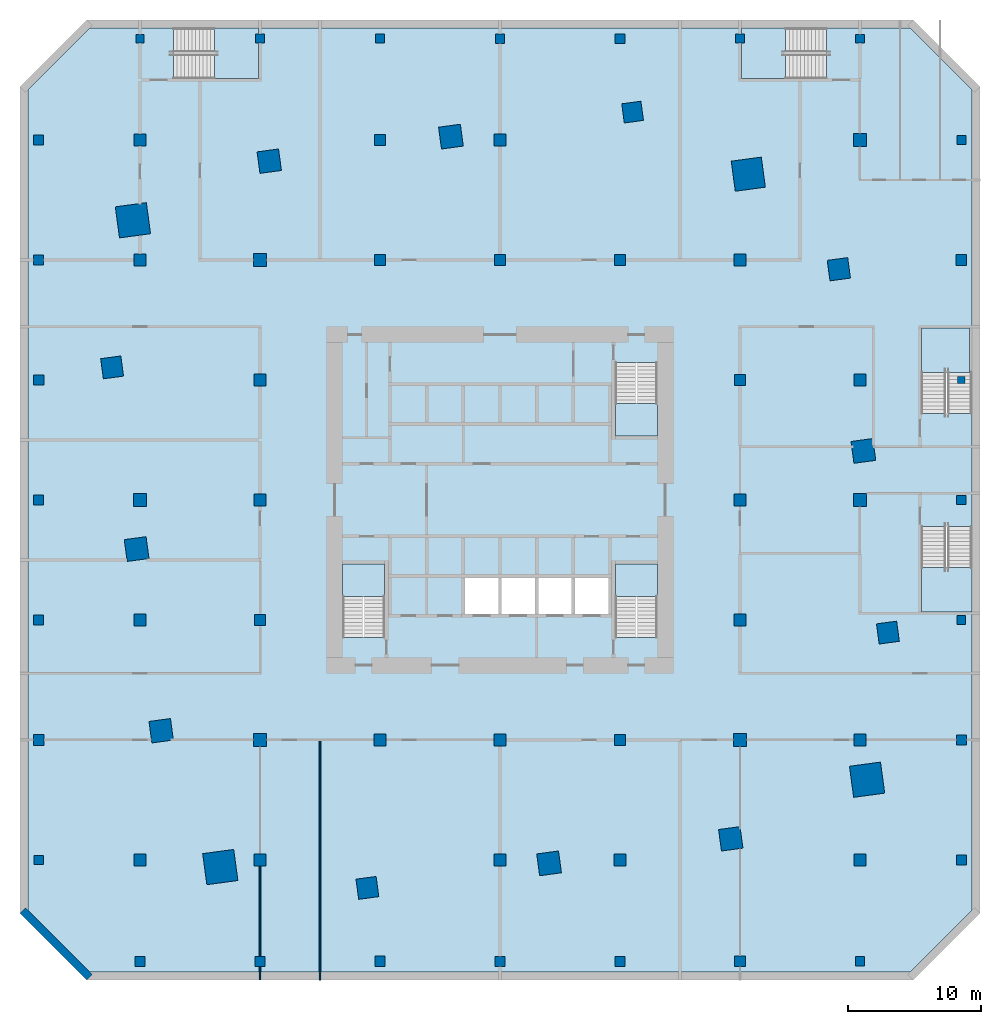
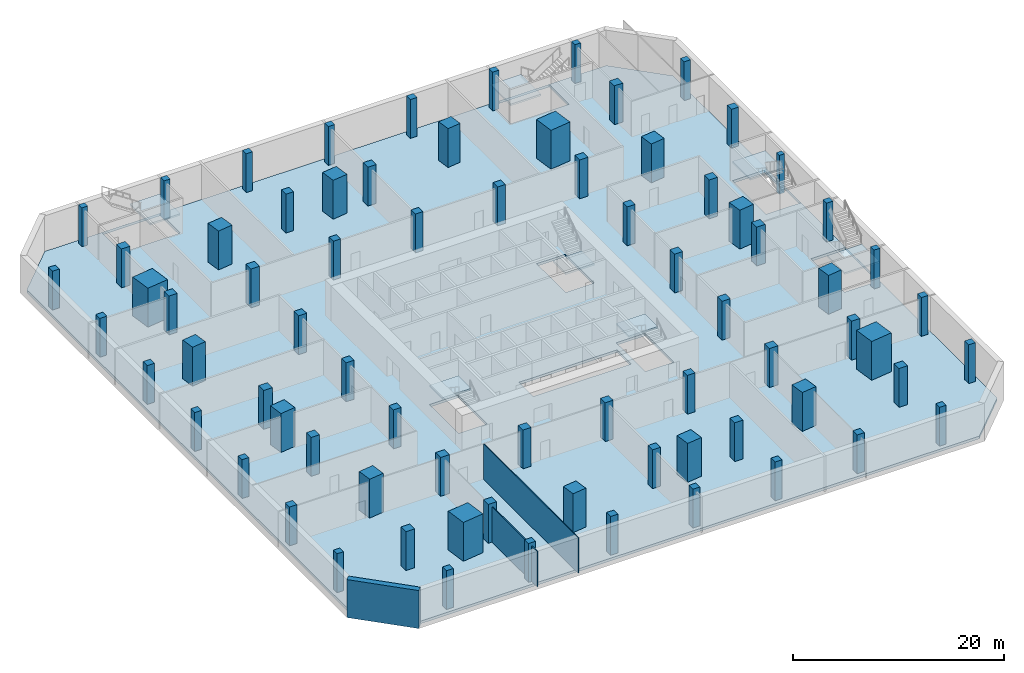
# One storey, part 1 of 11: 75 columns, 8 slabs, 3 walls, 7 elements without a shape of their own.
"""IFC4 building model written with IfcOpenShell, lengths in metres."""

from ifc_helpers import new_model, si_unit, direction, frame, frame_2d, origin, origin_2d, place, context, subcontext, project, spatial, polyline, rectangle, outline, extrude, material, layer, layer_set, material_profile, profile_set, type_object, element, aggregate, save


model = new_model("IFC4")

# Units and contexts
model_context = context("Model", 3, precision=1e-05, world=origin(), true_north=direction((0.0, 1.0)))
body_context = subcontext(model_context, "Body", "Model", "MODEL_VIEW")
ifc_project = project(units=[si_unit("LENGTHUNIT", "METRE"), si_unit("AREAUNIT", "SQUARE_METRE"), si_unit("VOLUMEUNIT", "CUBIC_METRE"), si_unit("PLANEANGLEUNIT", "RADIAN"), si_unit("MASSUNIT", "GRAM", prefix="KILO")], contexts=[model_context])

# Site, building, storey
site_placement = place(None, origin())
site = spatial("IfcSite", under=ifc_project, at=site_placement, CompositionType="ELEMENT")
building_placement = place(site_placement, origin())
building = spatial("IfcBuilding", under=site, at=building_placement, Name="Dilmun Exchange Tower", CompositionType="ELEMENT")
storey_placement = place(building_placement, frame((0.0, 0.0, -4.5)))
storey = spatial("IfcBuildingStorey", under=building, at=storey_placement, Name="B1", CompositionType="ELEMENT", Elevation=-4.5)

# Columns
ifc_material_1 = material(Name="Concrete C80/95", Category="concrete")
ifc_material_profile_1 = material_profile(ifc_material_1, rectangle(XDim=2.27490234375, YDim=2.27490234375, at=origin_2d()), Name="2275 x 2275")
ifc_profile_set_1 = profile_set([ifc_material_profile_1], Name="Concrete C80/95")
column_type_1 = type_object("IfcColumnType", Name="RC mega column 2275 x 2275 C80/95", PredefinedType="COLUMN", material=ifc_profile_set_1)
column_1_placement = place(storey_placement, frame((18.6220703125, 24.43701171875, 0.0), z_axis=(0.0, 0.0, 1.0), x_axis=(0.991001197216, 0.133853005627, 0.0)))
element("IfcColumn", 1, at=column_1_placement, inside=storey, type_object=column_type_1, Name="Mega column M1", PredefinedType="COLUMN", context=body_context, shape_type="SweptSolid", body=[
    extrude(rectangle(XDim=2.27490234375, YDim=2.27490234375, at=origin_2d()), origin(), (0.0, 0.0, 1.0), 4.5),
])
ifc_material_profile_2 = material_profile(ifc_material_1, rectangle(XDim=2.35009765625, YDim=2.35009765625, at=origin_2d()), Name="2350 x 2350")
ifc_profile_set_2 = profile_set([ifc_material_profile_2], Name="Concrete C80/95")
column_type_2 = type_object("IfcColumnType", Name="RC mega column 2350 x 2350 C80/95", PredefinedType="COLUMN", material=ifc_profile_set_2)
for number, where, z_axis, x_axis, name in (
    (2, (-27.531005859375, 20.97900390625, 0.0), (0.0, 0.0, 1.0), (0.991001197216, 0.133853005627, 0.0), "Mega column M2"),
    (3, (-20.97900390625, -27.531005859375, 0.0), (0.0, 0.0, 1.0), (0.991001197216, 0.133853005627, 0.0), "Mega column M3"),
    (4, (27.531005859375, -20.97900390625, 0.0), (0.0, 0.0, 1.0), (0.991001197216, 0.133853005627, 0.0), "Mega column M4"),
):
    element("IfcColumn", number, at=place(storey_placement, frame(where, z_axis=z_axis, x_axis=x_axis)), inside=storey, type_object=column_type_2, Name=name, PredefinedType="COLUMN", context=body_context, shape_type="SweptSolid", body=[
        extrude(rectangle(XDim=2.35009765625, YDim=2.35009765625, at=origin_2d()), origin(), (0.0, 0.0, 1.0), 4.5),
    ])
ifc_material_2 = material(Name="Concrete C60/75", Category="concrete")
ifc_material_profile_3 = material_profile(ifc_material_2, rectangle(XDim=0.550048828125, YDim=0.550048828125, at=origin_2d()), Name="550 x 550")
ifc_profile_set_3 = profile_set([ifc_material_profile_3], Name="Concrete C60/75")
column_type_3 = type_object("IfcColumnType", Name="RC podium column 550 x 550 C60/75", PredefinedType="COLUMN", material=ifc_profile_set_3)
column_2_placement = place(storey_placement, frame((34.60009765625, 9.0, 0.0), z_axis=(0.0, 0.0, 1.0), x_axis=(1.0, 0.0, 0.0)))
element("IfcColumn", 5, at=column_2_placement, inside=storey, type_object=column_type_3, Name="Podium column 13K", PredefinedType="COLUMN", context=body_context, shape_type="SweptSolid", body=[
    extrude(rectangle(XDim=0.550048828125, YDim=0.550048828125, at=origin_2d()), origin(), (0.0, 0.0, 1.0), 4.5),
])
ifc_material_profile_4 = material_profile(ifc_material_2, rectangle(XDim=0.625, YDim=0.625, at=origin_2d()), Name="625 x 625")
ifc_profile_set_4 = profile_set([ifc_material_profile_4], Name="Concrete C60/75")
column_type_4 = type_object("IfcColumnType", Name="RC podium column 625 x 625 C60/75", PredefinedType="COLUMN", material=ifc_profile_set_4)
column_3_placement = place(storey_placement, frame((-27.0, 34.60009765625, 0.0), z_axis=(0.0, 0.0, 1.0), x_axis=(1.0, 0.0, 0.0)))
element("IfcColumn", 6, at=column_3_placement, inside=storey, type_object=column_type_4, Name="Podium column 6N", PredefinedType="COLUMN", context=body_context, shape_type="SweptSolid", body=[
    extrude(rectangle(XDim=0.625, YDim=0.625, at=origin_2d()), origin(), (0.0, 0.0, 1.0), 4.5),
])
ifc_material_profile_5 = material_profile(ifc_material_2, rectangle(XDim=0.64990234375, YDim=0.64990234375, at=origin_2d()), Name="650 x 650")
ifc_profile_set_5 = profile_set([ifc_material_profile_5], Name="Concrete C60/75")
column_type_5 = type_object("IfcColumnType", Name="RC podium column 650 x 650 C60/75", PredefinedType="COLUMN", material=ifc_profile_set_5)
for number, where, z_axis, x_axis, name in (
    (7, (27.0, 34.60009765625, 0.0), (0.0, 0.0, 1.0), (1.0, 0.0, 0.0), "Podium column 12N"),
    (8, (34.60009765625, -9.0, 0.0), (0.0, 0.0, 1.0), (1.0, 0.0, 0.0), "Podium column 13H"),
):
    element("IfcColumn", number, at=place(storey_placement, frame(where, z_axis=z_axis, x_axis=x_axis)), inside=storey, type_object=column_type_5, Name=name, PredefinedType="COLUMN", context=body_context, shape_type="SweptSolid", body=[
        extrude(rectangle(XDim=0.64990234375, YDim=0.64990234375, at=origin_2d()), origin(), (0.0, 0.0, 1.0), 4.5),
    ])
ifc_material_profile_6 = material_profile(ifc_material_2, rectangle(XDim=0.675048828125, YDim=0.675048828125, at=origin_2d()), Name="675 x 675")
ifc_profile_set_6 = profile_set([ifc_material_profile_6], Name="Concrete C60/75")
column_type_6 = type_object("IfcColumnType", Name="RC podium column 675 x 675 C60/75", PredefinedType="COLUMN", material=ifc_profile_set_6)
for number, where, z_axis, x_axis, name in (
    (9, (-18.0, 34.60009765625, 0.0), (0.0, 0.0, 1.0), (1.0, 0.0, 0.0), "Podium column 7N"),
    (10, (-9.0, 34.60009765625, 0.0), (0.0, 0.0, 1.0), (1.0, 0.0, 0.0), "Podium column 8N"),
    (11, (18.0, 34.60009765625, 0.0), (0.0, 0.0, 1.0), (1.0, 0.0, 0.0), "Podium column 11N"),
    (12, (34.60009765625, 27.0, 0.0), (0.0, 0.0, 1.0), (1.0, 0.0, 0.0), "Podium column 13M"),
):
    element("IfcColumn", number, at=place(storey_placement, frame(where, z_axis=z_axis, x_axis=x_axis)), inside=storey, type_object=column_type_6, Name=name, PredefinedType="COLUMN", context=body_context, shape_type="SweptSolid", body=[
        extrude(rectangle(XDim=0.675048828125, YDim=0.675048828125, at=origin_2d()), origin(), (0.0, 0.0, 1.0), 4.5),
    ])
ifc_material_profile_7 = material_profile(ifc_material_2, rectangle(XDim=0.699951171875, YDim=0.699951171875, at=origin_2d()), Name="700 x 700")
ifc_profile_set_7 = profile_set([ifc_material_profile_7], Name="Concrete C60/75")
column_type_7 = type_object("IfcColumnType", Name="RC podium column 700 x 700 C60/75", PredefinedType="COLUMN", material=ifc_profile_set_7)
for number, where, z_axis, x_axis, name in (
    (13, (-34.60009765625, -27.0, 0.0), (0.0, 0.0, 1.0), (1.0, 0.0, 0.0), "Podium column 5F"),
    (14, (0.0, 34.60009765625, 0.0), (0.0, 0.0, 1.0), (1.0, 0.0, 0.0), "Podium column 9N"),
    (15, (27.0, -34.60009765625, 0.0), (0.0, 0.0, 1.0), (1.0, 0.0, 0.0), "Podium column 12E"),
    (16, (34.60009765625, 0.0, 0.0), (0.0, 0.0, 1.0), (1.0, 0.0, 0.0), "Podium column 13J"),
):
    element("IfcColumn", number, at=place(storey_placement, frame(where, z_axis=z_axis, x_axis=x_axis)), inside=storey, type_object=column_type_7, Name=name, PredefinedType="COLUMN", context=body_context, shape_type="SweptSolid", body=[
        extrude(rectangle(XDim=0.699951171875, YDim=0.699951171875, at=origin_2d()), origin(), (0.0, 0.0, 1.0), 4.5),
    ])
ifc_material_profile_8 = material_profile(ifc_material_2, rectangle(XDim=0.72509765625, YDim=0.72509765625, at=origin_2d()), Name="725 x 725")
ifc_profile_set_8 = profile_set([ifc_material_profile_8], Name="Concrete C60/75")
column_type_8 = type_object("IfcColumnType", Name="RC podium column 725 x 725 C60/75", PredefinedType="COLUMN", material=ifc_profile_set_8)
column_4_placement = place(storey_placement, frame((9.0, 34.60009765625, 0.0), z_axis=(0.0, 0.0, 1.0), x_axis=(1.0, 0.0, 0.0)))
element("IfcColumn", 17, at=column_4_placement, inside=storey, type_object=column_type_8, Name="Podium column 10N", PredefinedType="COLUMN", context=body_context, shape_type="SweptSolid", body=[
    extrude(rectangle(XDim=0.72509765625, YDim=0.72509765625, at=origin_2d()), origin(), (0.0, 0.0, 1.0), 4.5),
])
ifc_material_profile_9 = material_profile(ifc_material_2, rectangle(XDim=0.75, YDim=0.75, at=origin_2d()), Name="750 x 750")
ifc_profile_set_9 = profile_set([ifc_material_profile_9], Name="Concrete C60/75")
column_type_9 = type_object("IfcColumnType", Name="RC podium column 750 x 750 C60/75", PredefinedType="COLUMN", material=ifc_profile_set_9)
for number, where, z_axis, x_axis, name in (
    (18, (-34.60009765625, -9.0, 0.0), (0.0, 0.0, 1.0), (1.0, 0.0, 0.0), "Podium column 5H"),
    (19, (-34.60009765625, 0.0, 0.0), (0.0, 0.0, 1.0), (1.0, 0.0, 0.0), "Podium column 5J"),
    (20, (-34.60009765625, 18.0, 0.0), (0.0, 0.0, 1.0), (1.0, 0.0, 0.0), "Podium column 5L"),
    (21, (-34.60009765625, 27.0, 0.0), (0.0, 0.0, 1.0), (1.0, 0.0, 0.0), "Podium column 5M"),
    (22, (-27.0, -34.60009765625, 0.0), (0.0, 0.0, 1.0), (1.0, 0.0, 0.0), "Podium column 6E"),
    (23, (-18.0, -34.60009765625, 0.0), (0.0, 0.0, 1.0), (1.0, 0.0, 0.0), "Podium column 7E"),
    (24, (0.0, -34.60009765625, 0.0), (0.0, 0.0, 1.0), (1.0, 0.0, 0.0), "Podium column 9E"),
    (25, (9.0, -34.60009765625, 0.0), (0.0, 0.0, 1.0), (1.0, 0.0, 0.0), "Podium column 10E"),
    (26, (34.60009765625, -27.0, 0.0), (0.0, 0.0, 1.0), (1.0, 0.0, 0.0), "Podium column 13F"),
    (27, (34.60009765625, -18.0, 0.0), (0.0, 0.0, 1.0), (1.0, 0.0, 0.0), "Podium column 13G"),
):
    element("IfcColumn", number, at=place(storey_placement, frame(where, z_axis=z_axis, x_axis=x_axis)), inside=storey, type_object=column_type_9, Name=name, PredefinedType="COLUMN", context=body_context, shape_type="SweptSolid", body=[
        extrude(rectangle(XDim=0.75, YDim=0.75, at=origin_2d()), origin(), (0.0, 0.0, 1.0), 4.5),
    ])
ifc_material_profile_10 = material_profile(ifc_material_2, rectangle(XDim=0.77490234375, YDim=0.77490234375, at=origin_2d()), Name="775 x 775")
ifc_profile_set_10 = profile_set([ifc_material_profile_10], Name="Concrete C60/75")
column_type_10 = type_object("IfcColumnType", Name="RC podium column 775 x 775 C60/75", PredefinedType="COLUMN", material=ifc_profile_set_10)
for number, where, z_axis, x_axis, name in (
    (28, (-34.60009765625, 9.0, 0.0), (0.0, 0.0, 1.0), (1.0, 0.0, 0.0), "Podium column 5K"),
    (29, (-9.0, -34.60009765625, 0.0), (0.0, 0.0, 1.0), (1.0, 0.0, 0.0), "Podium column 8E"),
):
    element("IfcColumn", number, at=place(storey_placement, frame(where, z_axis=z_axis, x_axis=x_axis)), inside=storey, type_object=column_type_10, Name=name, PredefinedType="COLUMN", context=body_context, shape_type="SweptSolid", body=[
        extrude(rectangle(XDim=0.77490234375, YDim=0.77490234375, at=origin_2d()), origin(), (0.0, 0.0, 1.0), 4.5),
    ])
ifc_material_profile_11 = material_profile(ifc_material_2, rectangle(XDim=0.800048828125, YDim=0.800048828125, at=origin_2d()), Name="800 x 800")
ifc_profile_set_11 = profile_set([ifc_material_profile_11], Name="Concrete C60/75")
column_type_11 = type_object("IfcColumnType", Name="RC podium column 800 x 800 C60/75", PredefinedType="COLUMN", material=ifc_profile_set_11)
for number, where, z_axis, x_axis, name in (
    (30, (-34.60009765625, -18.0, 0.0), (0.0, 0.0, 1.0), (1.0, 0.0, 0.0), "Podium column 5G"),
    (31, (-9.0, 18.0, 0.0), (0.0, 0.0, 1.0), (1.0, 0.0, 0.0), "Podium column 8L"),
    (32, (18.0, -34.60009765625, 0.0), (0.0, 0.0, 1.0), (1.0, 0.0, 0.0), "Podium column 11E"),
    (33, (34.60009765625, 18.0, 0.0), (0.0, 0.0, 1.0), (1.0, 0.0, 0.0), "Podium column 13L"),
):
    element("IfcColumn", number, at=place(storey_placement, frame(where, z_axis=z_axis, x_axis=x_axis)), inside=storey, type_object=column_type_11, Name=name, PredefinedType="COLUMN", context=body_context, shape_type="SweptSolid", body=[
        extrude(rectangle(XDim=0.800048828125, YDim=0.800048828125, at=origin_2d()), origin(), (0.0, 0.0, 1.0), 4.5),
    ])
ifc_material_profile_12 = material_profile(ifc_material_2, rectangle(XDim=0.824951171875, YDim=0.824951171875, at=origin_2d()), Name="825 x 825")
ifc_profile_set_12 = profile_set([ifc_material_profile_12], Name="Concrete C60/75")
column_type_12 = type_object("IfcColumnType", Name="RC podium column 825 x 825 C60/75", PredefinedType="COLUMN", material=ifc_profile_set_12)
column_5_placement = place(storey_placement, frame((0.0, 18.0, 0.0), z_axis=(0.0, 0.0, 1.0), x_axis=(1.0, 0.0, 0.0)))
element("IfcColumn", 34, at=column_5_placement, inside=storey, type_object=column_type_12, Name="Podium column 9L", PredefinedType="COLUMN", context=body_context, shape_type="SweptSolid", body=[
    extrude(rectangle(XDim=0.824951171875, YDim=0.824951171875, at=origin_2d()), origin(), (0.0, 0.0, 1.0), 4.5),
])
ifc_material_profile_13 = material_profile(ifc_material_2, rectangle(XDim=0.85009765625, YDim=0.85009765625, at=origin_2d()), Name="850 x 850")
ifc_profile_set_13 = profile_set([ifc_material_profile_13], Name="Concrete C60/75")
column_type_13 = type_object("IfcColumnType", Name="RC podium column 850 x 850 C60/75", PredefinedType="COLUMN", material=ifc_profile_set_13)
for number, where, z_axis, x_axis, name in (
    (35, (-18.0, -9.0, 0.0), (0.0, 0.0, 1.0), (1.0, 0.0, 0.0), "Podium column 7H"),
    (36, (-9.0, 27.0, 0.0), (0.0, 0.0, 1.0), (1.0, 0.0, 0.0), "Podium column 8M"),
    (37, (9.0, -18.0, 0.0), (0.0, 0.0, 1.0), (1.0, 0.0, 0.0), "Podium column 10G"),
    (38, (9.0, 18.0, 0.0), (0.0, 0.0, 1.0), (1.0, 0.0, 0.0), "Podium column 10L"),
    (39, (18.0, 9.0, 0.0), (0.0, 0.0, 1.0), (1.0, 0.0, 0.0), "Podium column 11K"),
):
    element("IfcColumn", number, at=place(storey_placement, frame(where, z_axis=z_axis, x_axis=x_axis)), inside=storey, type_object=column_type_13, Name=name, PredefinedType="COLUMN", context=body_context, shape_type="SweptSolid", body=[
        extrude(rectangle(XDim=0.85009765625, YDim=0.85009765625, at=origin_2d()), origin(), (0.0, 0.0, 1.0), 4.5),
    ])
ifc_material_profile_14 = material_profile(ifc_material_2, rectangle(XDim=0.875, YDim=0.875, at=origin_2d()), Name="875 x 875")
ifc_profile_set_14 = profile_set([ifc_material_profile_14], Name="Concrete C60/75")
column_type_14 = type_object("IfcColumnType", Name="RC podium column 875 x 875 C60/75", PredefinedType="COLUMN", material=ifc_profile_set_14)
for number, where, z_axis, x_axis, name in (
    (40, (-18.0, 0.0, 0.0), (0.0, 0.0, 1.0), (1.0, 0.0, 0.0), "Podium column 7J"),
    (41, (0.0, -27.0, 0.0), (0.0, 0.0, 1.0), (1.0, 0.0, 0.0), "Podium column 9F"),
    (42, (0.0, -18.0, 0.0), (0.0, 0.0, 1.0), (1.0, 0.0, 0.0), "Podium column 9G"),
    (43, (18.0, 0.0, 0.0), (0.0, 0.0, 1.0), (1.0, 0.0, 0.0), "Podium column 11J"),
):
    element("IfcColumn", number, at=place(storey_placement, frame(where, z_axis=z_axis, x_axis=x_axis)), inside=storey, type_object=column_type_14, Name=name, PredefinedType="COLUMN", context=body_context, shape_type="SweptSolid", body=[
        extrude(rectangle(XDim=0.875, YDim=0.875, at=origin_2d()), origin(), (0.0, 0.0, 1.0), 4.5),
    ])
ifc_material_profile_15 = material_profile(ifc_material_2, rectangle(XDim=0.89990234375, YDim=0.89990234375, at=origin_2d()), Name="900 x 900")
ifc_profile_set_15 = profile_set([ifc_material_profile_15], Name="Concrete C60/75")
column_type_15 = type_object("IfcColumnType", Name="RC podium column 900 x 900 C60/75", PredefinedType="COLUMN", material=ifc_profile_set_15)
for number, where, z_axis, x_axis, name in (
    (44, (-27.0, 18.0, 0.0), (0.0, 0.0, 1.0), (1.0, 0.0, 0.0), "Podium column 6L"),
    (45, (-18.0, -27.0, 0.0), (0.0, 0.0, 1.0), (1.0, 0.0, 0.0), "Podium column 7F"),
    (46, (-18.0, 9.0, 0.0), (0.0, 0.0, 1.0), (1.0, 0.0, 0.0), "Podium column 7K"),
    (47, (-9.0, -18.0, 0.0), (0.0, 0.0, 1.0), (1.0, 0.0, 0.0), "Podium column 8G"),
    (48, (0.0, 27.0, 0.0), (0.0, 0.0, 1.0), (1.0, 0.0, 0.0), "Podium column 9M"),
    (49, (9.0, -27.0, 0.0), (0.0, 0.0, 1.0), (1.0, 0.0, 0.0), "Podium column 10F"),
    (50, (18.0, -9.0, 0.0), (0.0, 0.0, 1.0), (1.0, 0.0, 0.0), "Podium column 11H"),
    (51, (18.0, 18.0, 0.0), (0.0, 0.0, 1.0), (1.0, 0.0, 0.0), "Podium column 11L"),
    (52, (27.0, -18.0, 0.0), (0.0, 0.0, 1.0), (1.0, 0.0, 0.0), "Podium column 12G"),
):
    element("IfcColumn", number, at=place(storey_placement, frame(where, z_axis=z_axis, x_axis=x_axis)), inside=storey, type_object=column_type_15, Name=name, PredefinedType="COLUMN", context=body_context, shape_type="SweptSolid", body=[
        extrude(rectangle(XDim=0.89990234375, YDim=0.89990234375, at=origin_2d()), origin(), (0.0, 0.0, 1.0), 4.5),
    ])
ifc_material_profile_16 = material_profile(ifc_material_2, rectangle(XDim=0.925048828125, YDim=0.925048828125, at=origin_2d()), Name="925 x 925")
ifc_profile_set_16 = profile_set([ifc_material_profile_16], Name="Concrete C60/75")
column_type_16 = type_object("IfcColumnType", Name="RC podium column 925 x 925 C60/75", PredefinedType="COLUMN", material=ifc_profile_set_16)
for number, where, z_axis, x_axis, name in (
    (53, (-27.0, -27.0, 0.0), (0.0, 0.0, 1.0), (1.0, 0.0, 0.0), "Podium column 6F"),
    (54, (-27.0, -9.0, 0.0), (0.0, 0.0, 1.0), (1.0, 0.0, 0.0), "Podium column 6H"),
    (55, (-27.0, 27.0, 0.0), (0.0, 0.0, 1.0), (1.0, 0.0, 0.0), "Podium column 6M"),
    (56, (27.0, -27.0, 0.0), (0.0, 0.0, 1.0), (1.0, 0.0, 0.0), "Podium column 12F"),
    (57, (27.0, 9.0, 0.0), (0.0, 0.0, 1.0), (1.0, 0.0, 0.0), "Podium column 12K"),
):
    element("IfcColumn", number, at=place(storey_placement, frame(where, z_axis=z_axis, x_axis=x_axis)), inside=storey, type_object=column_type_16, Name=name, PredefinedType="COLUMN", context=body_context, shape_type="SweptSolid", body=[
        extrude(rectangle(XDim=0.925048828125, YDim=0.925048828125, at=origin_2d()), origin(), (0.0, 0.0, 1.0), 4.5),
    ])
ifc_material_profile_17 = material_profile(ifc_material_2, rectangle(XDim=0.949951171875, YDim=0.949951171875, at=origin_2d()), Name="950 x 950")
ifc_profile_set_17 = profile_set([ifc_material_profile_17], Name="Concrete C60/75")
column_type_17 = type_object("IfcColumnType", Name="RC podium column 950 x 950 C60/75", PredefinedType="COLUMN", material=ifc_profile_set_17)
for number, where, z_axis, x_axis, name in (
    (58, (-27.0, 0.0, 0.0), (0.0, 0.0, 1.0), (1.0, 0.0, 0.0), "Podium column 6J"),
    (59, (-18.0, -18.0, 0.0), (0.0, 0.0, 1.0), (1.0, 0.0, 0.0), "Podium column 7G"),
    (60, (-18.0, 18.0, 0.0), (0.0, 0.0, 1.0), (1.0, 0.0, 0.0), "Podium column 7L"),
    (61, (18.0, -18.0, 0.0), (0.0, 0.0, 1.0), (1.0, 0.0, 0.0), "Podium column 11G"),
    (62, (27.0, 0.0, 0.0), (0.0, 0.0, 1.0), (1.0, 0.0, 0.0), "Podium column 12J"),
    (63, (27.0, 27.0, 0.0), (0.0, 0.0, 1.0), (1.0, 0.0, 0.0), "Podium column 12M"),
):
    element("IfcColumn", number, at=place(storey_placement, frame(where, z_axis=z_axis, x_axis=x_axis)), inside=storey, type_object=column_type_17, Name=name, PredefinedType="COLUMN", context=body_context, shape_type="SweptSolid", body=[
        extrude(rectangle(XDim=0.949951171875, YDim=0.949951171875, at=origin_2d()), origin(), (0.0, 0.0, 1.0), 4.5),
    ])
ifc_material_profile_18 = material_profile(ifc_material_1, rectangle(XDim=1.449951171875, YDim=1.449951171875, at=origin_2d()), Name="1450 x 1450")
ifc_profile_set_18 = profile_set([ifc_material_profile_18], Name="Concrete C80/95")
column_type_18 = type_object("IfcColumnType", Name="RC ring column 1450 x 1450 C80/95", PredefinedType="COLUMN", material=ifc_profile_set_18)
column_6_placement = place(storey_placement, frame((9.945068359375, 29.093017578125, 0.0), z_axis=(0.0, 0.0, 1.0), x_axis=(0.991001197216, 0.133853005627, 0.0)))
element("IfcColumn", 64, at=column_6_placement, inside=storey, type_object=column_type_18, Name="Ring column R01", PredefinedType="COLUMN", context=body_context, shape_type="SweptSolid", body=[
    extrude(rectangle(XDim=1.449951171875, YDim=1.449951171875, at=origin_2d()), origin(), (0.0, 0.0, 1.0), 4.5),
])
ifc_material_profile_19 = material_profile(ifc_material_1, rectangle(XDim=1.52490234375, YDim=1.52490234375, at=origin_2d()), Name="1525 x 1525")
ifc_profile_set_19 = profile_set([ifc_material_profile_19], Name="Concrete C80/95")
column_type_19 = type_object("IfcColumnType", Name="RC ring column 1525 x 1525 C80/95", PredefinedType="COLUMN", material=ifc_profile_set_19)
for number, where, z_axis, x_axis, name in (
    (65, (-29.093017578125, 9.945068359375, 0.0), (0.0, 0.0, 1.0), (0.991001197216, 0.133853005627, 0.0), "Ring column R04"),
    (66, (-9.945068359375, -29.093017578125, 0.0), (0.0, 0.0, 1.0), (0.991001197216, 0.133853005627, 0.0), "Ring column R07"),
    (67, (29.093017578125, -9.945068359375, 0.0), (0.0, 0.0, 1.0), (0.991001197216, 0.133853005627, 0.0), "Ring column R10"),
):
    element("IfcColumn", number, at=place(storey_placement, frame(where, z_axis=z_axis, x_axis=x_axis)), inside=storey, type_object=column_type_19, Name=name, PredefinedType="COLUMN", context=body_context, shape_type="SweptSolid", body=[
        extrude(rectangle(XDim=1.52490234375, YDim=1.52490234375, at=origin_2d()), origin(), (0.0, 0.0, 1.0), 4.5),
    ])
ifc_material_profile_20 = material_profile(ifc_material_1, rectangle(XDim=1.550048828125, YDim=1.550048828125, at=origin_2d()), Name="1550 x 1550")
ifc_profile_set_20 = profile_set([ifc_material_profile_20], Name="Concrete C80/95")
column_type_20 = type_object("IfcColumnType", Name="RC ring column 1550 x 1550 C80/95", PredefinedType="COLUMN", material=ifc_profile_set_20)
column_7_placement = place(storey_placement, frame((25.412109375, 17.306884765625, 0.0), z_axis=(0.0, 0.0, 1.0), x_axis=(0.991001197216, 0.133853005627, 0.0)))
element("IfcColumn", 68, at=column_7_placement, inside=storey, type_object=column_type_20, Name="Ring column R12", PredefinedType="COLUMN", context=body_context, shape_type="SweptSolid", body=[
    extrude(rectangle(XDim=1.550048828125, YDim=1.550048828125, at=origin_2d()), origin(), (0.0, 0.0, 1.0), 4.5),
])
ifc_material_profile_21 = material_profile(ifc_material_1, rectangle(XDim=1.625, YDim=1.625, at=origin_2d()), Name="1625 x 1625")
ifc_profile_set_21 = profile_set([ifc_material_profile_21], Name="Concrete C80/95")
column_type_21 = type_object("IfcColumnType", Name="RC ring column 1625 x 1625 C80/95", PredefinedType="COLUMN", material=ifc_profile_set_21)
for number, where, z_axis, x_axis, name in (
    (69, (-17.306884765625, 25.412109375, 0.0), (0.0, 0.0, 1.0), (0.991001197216, 0.133853005627, 0.0), "Ring column R03"),
    (70, (-25.412109375, -17.306884765625, 0.0), (0.0, 0.0, 1.0), (0.991001197216, 0.133853005627, 0.0), "Ring column R06"),
    (71, (17.306884765625, -25.412109375, 0.0), (0.0, 0.0, 1.0), (0.991001197216, 0.133853005627, 0.0), "Ring column R09"),
):
    element("IfcColumn", number, at=place(storey_placement, frame(where, z_axis=z_axis, x_axis=x_axis)), inside=storey, type_object=column_type_21, Name=name, PredefinedType="COLUMN", context=body_context, shape_type="SweptSolid", body=[
        extrude(rectangle(XDim=1.625, YDim=1.625, at=origin_2d()), origin(), (0.0, 0.0, 1.0), 4.5),
    ])
ifc_material_profile_22 = material_profile(ifc_material_1, rectangle(XDim=1.64990234375, YDim=1.64990234375, at=origin_2d()), Name="1650 x 1650")
ifc_profile_set_22 = profile_set([ifc_material_profile_22], Name="Concrete C80/95")
column_type_22 = type_object("IfcColumnType", Name="RC ring column 1650 x 1650 C80/95", PredefinedType="COLUMN", material=ifc_profile_set_22)
for number, where, z_axis, x_axis, name in (
    (72, (-3.680908203125, 27.2529296875, 0.0), (0.0, 0.0, 1.0), (0.991001197216, 0.133853005627, 0.0), "Ring column R02"),
    (73, (-27.2529296875, -3.680908203125, 0.0), (0.0, 0.0, 1.0), (0.991001197216, 0.133853005627, 0.0), "Ring column R05"),
    (74, (3.680908203125, -27.2529296875, 0.0), (0.0, 0.0, 1.0), (0.991001197216, 0.133853005627, 0.0), "Ring column R08"),
    (75, (27.2529296875, 3.680908203125, 0.0), (0.0, 0.0, 1.0), (0.991001197216, 0.133853005627, 0.0), "Ring column R11"),
):
    element("IfcColumn", number, at=place(storey_placement, frame(where, z_axis=z_axis, x_axis=x_axis)), inside=storey, type_object=column_type_22, Name=name, PredefinedType="COLUMN", context=body_context, shape_type="SweptSolid", body=[
        extrude(rectangle(XDim=1.64990234375, YDim=1.64990234375, at=origin_2d()), origin(), (0.0, 0.0, 1.0), 4.5),
    ])

# Stair, slab
ifc_material_3 = material(Name="Concrete C40/50", Category="concrete")
stair_type_1 = type_object("IfcStairType", Name="Exit stair 1500 half-turn", PredefinedType="HALF_TURN_STAIR", material=ifc_material_3)
stair_1_placement = place(storey_placement, origin())
stair_1 = element("IfcStair", 76, at=stair_1_placement, inside=storey, type_object=stair_type_1, Name="B1 Protected exit stair ST1", PredefinedType="HALF_TURN_STAIR")
ifc_layer_1 = layer(ifc_material_3, 0.199951171875)
ifc_layer_set_1 = layer_set([ifc_layer_1], Name="Concrete C40/50")
slab_type_1 = type_object("IfcSlabType", Name="Exit stair landing 200", PredefinedType="LANDING", material=ifc_layer_set_1)
slab_1_placement = place(storey_placement, frame((0.0, 0.0, 2.050048828125)))
slab_1 = element("IfcSlab", 77, at=slab_1_placement, type_object=slab_type_1, Name="ST1 landing 1", PredefinedType="LANDING", context=body_context, shape_type="SweptSolid", body=[
    extrude(outline(polyline([(8.64990234375, 7.219970703125), (8.64990234375, 4.800048828125), (11.800048828125, 4.800048828125), (11.800048828125, 7.219970703125), (8.64990234375, 7.219970703125)])), origin(), (0.0, 0.0, 1.0), 0.199951171875),
])
aggregate(stair_1, [slab_1])

stair_2_placement = place(storey_placement, origin())
stair_2 = element("IfcStair", 78, at=stair_2_placement, inside=storey, type_object=stair_type_1, Name="B1 Protected exit stair ST2", PredefinedType="HALF_TURN_STAIR")
slab_2_placement = place(storey_placement, frame((0.0, 0.0, 2.050048828125)))
slab_2 = element("IfcSlab", 79, at=slab_2_placement, type_object=slab_type_1, Name="ST2 landing 1", PredefinedType="LANDING", context=body_context, shape_type="SweptSolid", body=[
    extrude(outline(polyline([(-8.64990234375, -7.219970703125), (-8.64990234375, -4.800048828125), (-11.800048828125, -4.800048828125), (-11.800048828125, -7.219970703125), (-8.64990234375, -7.219970703125)])), origin(), (0.0, 0.0, 1.0), 0.199951171875),
])
aggregate(stair_2, [slab_2])

stair_3_placement = place(storey_placement, origin())
stair_3 = element("IfcStair", 80, at=stair_3_placement, inside=storey, type_object=stair_type_1, Name="B1 Protected exit stair ST3", PredefinedType="HALF_TURN_STAIR")
slab_3_placement = place(storey_placement, frame((0.0, 0.0, 2.050048828125)))
slab_3 = element("IfcSlab", 81, at=slab_3_placement, type_object=slab_type_1, Name="ST3 landing 1", PredefinedType="LANDING", context=body_context, shape_type="SweptSolid", body=[
    extrude(outline(polyline([(11.800048828125, -7.219970703125), (11.800048828125, -4.800048828125), (8.64990234375, -4.800048828125), (8.64990234375, -7.219970703125), (11.800048828125, -7.219970703125)])), origin(), (0.0, 0.0, 1.0), 0.199951171875),
])
aggregate(stair_3, [slab_3])

stair_type_2 = type_object("IfcStairType", Name="Podium exit stair 1500", PredefinedType="HALF_TURN_STAIR", material=ifc_material_3)
stair_4_placement = place(storey_placement, origin())
stair_4 = element("IfcStair", 82, at=stair_4_placement, inside=storey, type_object=stair_type_2, Name="B1 Podium exit stair PS1", PredefinedType="HALF_TURN_STAIR")
ifc_layer_2 = layer(ifc_material_3, 0.199951171875)
ifc_layer_set_2 = layer_set([ifc_layer_2], Name="Concrete C40/50")
slab_type_2 = type_object("IfcSlabType", Name="Podium stair landing 200", PredefinedType="LANDING", material=ifc_layer_set_2)
slab_4_placement = place(storey_placement, frame((0.0, 0.0, 2.050048828125)))
slab_4 = element("IfcSlab", 83, at=slab_4_placement, type_object=slab_type_2, Name="PS1 landing 1", PredefinedType="LANDING", context=body_context, shape_type="SweptSolid", body=[
    extrude(outline(polyline([(-21.419921875, 31.60009765625), (-18.10498046875, 31.60009765625), (-18.10498046875, 35.39794921875), (-21.419921875, 35.39794921875), (-21.419921875, 31.60009765625)])), origin(), (0.0, 0.0, 1.0), 0.199951171875),
])
aggregate(stair_4, [slab_4])

stair_5_placement = place(storey_placement, origin())
stair_5 = element("IfcStair", 84, at=stair_5_placement, inside=storey, type_object=stair_type_2, Name="B1 Podium exit stair PS2", PredefinedType="HALF_TURN_STAIR")
slab_5_placement = place(storey_placement, frame((0.0, 0.0, 2.050048828125)))
slab_5 = element("IfcSlab", 85, at=slab_5_placement, type_object=slab_type_2, Name="PS2 landing 1", PredefinedType="LANDING", context=body_context, shape_type="SweptSolid", body=[
    extrude(outline(polyline([(21.419921875, 35.39794921875), (18.10498046875, 35.39794921875), (18.10498046875, 31.60009765625), (21.419921875, 31.60009765625), (21.419921875, 35.39794921875)])), origin(), (0.0, 0.0, 1.0), 0.199951171875),
])
aggregate(stair_5, [slab_5])

stair_6_placement = place(storey_placement, origin())
stair_6 = element("IfcStair", 86, at=stair_6_placement, inside=storey, type_object=stair_type_2, Name="B1 Podium exit stair PS3", PredefinedType="HALF_TURN_STAIR")
slab_6_placement = place(storey_placement, frame((0.0, 0.0, 2.050048828125)))
slab_6 = element("IfcSlab", 87, at=slab_6_placement, type_object=slab_type_2, Name="PS3 landing 1", PredefinedType="LANDING", context=body_context, shape_type="SweptSolid", body=[
    extrude(outline(polyline([(31.60009765625, -5.080078125), (31.60009765625, -8.39501953125), (35.39794921875, -8.39501953125), (35.39794921875, -5.080078125), (31.60009765625, -5.080078125)])), origin(), (0.0, 0.0, 1.0), 0.199951171875),
])
aggregate(stair_6, [slab_6])

stair_7_placement = place(storey_placement, origin())
stair_7 = element("IfcStair", 88, at=stair_7_placement, inside=storey, type_object=stair_type_2, Name="B1 Podium exit stair PS4", PredefinedType="HALF_TURN_STAIR")
slab_7_placement = place(storey_placement, frame((0.0, 0.0, 2.050048828125)))
slab_7 = element("IfcSlab", 89, at=slab_7_placement, type_object=slab_type_2, Name="PS4 landing 1", PredefinedType="LANDING", context=body_context, shape_type="SweptSolid", body=[
    extrude(outline(polyline([(35.197998046875, 9.580078125), (35.197998046875, 12.89501953125), (31.60009765625, 12.89501953125), (31.60009765625, 9.580078125), (35.197998046875, 9.580078125)])), origin(), (0.0, 0.0, 1.0), 0.199951171875),
])
aggregate(stair_7, [slab_7])

# Slab
ifc_layer_3 = layer(ifc_material_3, 0.300048828125)
ifc_layer_set_3 = layer_set([ifc_layer_3], Name="Concrete C40/50")
slab_type_3 = type_object("IfcSlabType", Name="RC floor slab 300", PredefinedType="FLOOR", material=ifc_layer_set_3)
slab_8_placement = place(storey_placement, frame((0.0, 0.0, -0.300048828125)))
element("IfcSlab", 90, at=slab_8_placement, inside=storey, type_object=slab_type_3, Name="Basement slab", PredefinedType="FLOOR", context=body_context, shape_type="SweptSolid", body=[
    extrude(outline(polyline([(-35.39990234375, -30.75146484375), (-35.39990234375, 30.75146484375), (-30.75146484375, 35.39990234375), (30.75146484375, 35.39990234375), (35.39990234375, 30.75146484375), (35.39990234375, -30.75146484375), (30.75146484375, -35.39990234375), (-30.75146484375, -35.39990234375), (-35.39990234375, -30.75146484375)]), holes=[polyline([(-8.64990234375, -10.294921875), (-8.64990234375, -4.800048828125), (-11.800048828125, -4.800048828125), (-11.800048828125, -10.294921875), (-8.64990234375, -10.294921875)]), polyline([(11.800048828125, -10.294921875), (11.800048828125, -4.800048828125), (8.64990234375, -4.800048828125), (8.64990234375, -10.294921875), (11.800048828125, -10.294921875)]), polyline([(8.125, -5.85009765625), (-2.625, -5.85009765625), (-2.625, -8.550048828125), (8.125, -8.550048828125), (8.125, -5.85009765625)]), polyline([(35.39794921875, -8.39501953125), (35.39794921875, -2.0048828125), (31.60009765625, -2.0048828125), (31.60009765625, -8.39501953125), (35.39794921875, -8.39501953125)]), polyline([(8.64990234375, 10.294921875), (8.64990234375, 4.800048828125), (11.800048828125, 4.800048828125), (11.800048828125, 10.294921875), (8.64990234375, 10.294921875)]), polyline([(35.39794921875, 12.89501953125), (31.60009765625, 12.89501953125), (31.60009765625, 6.5048828125), (35.39794921875, 6.5048828125), (35.39794921875, 9.58056640625), (35.097900390625, 9.58056640625), (35.097900390625, 12.889892578125), (35.39794921875, 12.889892578125), (35.39794921875, 12.89501953125)]), polyline([(-18.10498046875, 35.39794921875), (-24.4951171875, 35.39794921875), (-24.4951171875, 31.60009765625), (-18.10498046875, 31.60009765625), (-18.10498046875, 35.39794921875)]), polyline([(18.10498046875, 31.60009765625), (24.4951171875, 31.60009765625), (24.4951171875, 35.39794921875), (18.10498046875, 35.39794921875), (18.10498046875, 31.60009765625)])]), origin(), (0.0, 0.0, 1.0), 0.300048828125),
])

# Walls
ifc_material_4 = material(Name="Partition 100 gypsum")
ifc_layer_4 = layer(ifc_material_4, 0.10009765625)
ifc_layer_set_4 = layer_set([ifc_layer_4], Name="Partition 100 gypsum")
wall_type_1 = type_object("IfcWallType", Name="Partition 100 gypsum", PredefinedType="PARTITIONING", material=ifc_layer_set_4)
wall_1_placement = place(storey_placement, frame((-18.0, -36.0, 0.0), z_axis=(0.0, 0.0, 1.0), x_axis=(0.0, 1.0, 0.0)))
element("IfcWall", 91, at=wall_1_placement, inside=storey, type_object=wall_type_1, Name="B1 partition", PredefinedType="PARTITIONING", context=body_context, shape_type="SweptSolid", body=[
    extrude(rectangle(XDim=8.5, YDim=0.10009765625, at=frame_2d((4.25, 0.0))), origin(), (0.0, 0.0, 1.0), 4.10009765625),
])
wall_2_placement = place(storey_placement, frame((-13.5, -36.0, 0.0), z_axis=(0.0, 0.0, 1.0), x_axis=(0.0, 1.0, 0.0)))
element("IfcWall", 92, at=wall_2_placement, inside=storey, type_object=wall_type_1, Name="B1 partition", PredefinedType="PARTITIONING", context=body_context, shape_type="SweptSolid", body=[
    extrude(rectangle(XDim=17.925048828125, YDim=0.10009765625, at=frame_2d((8.96240234375, 0.0))), origin(), (0.0, 0.0, 1.0), 4.10009765625),
])
ifc_layer_5 = layer(ifc_material_3, 0.60009765625)
ifc_layer_set_5 = layer_set([ifc_layer_5], Name="Concrete C40/50")
wall_type_2 = type_object("IfcWallType", Name="RC basement wall 600", PredefinedType="SOLIDWALL", material=ifc_layer_set_5)
wall_3_placement = place(storey_placement, frame((-35.787841796875, -30.787841796875, -0.300048828125), z_axis=(0.0, 0.0, 1.0), x_axis=(0.707106781187, -0.707106781187, 0.0)))
element("IfcWall", 93, at=wall_3_placement, inside=storey, type_object=wall_type_2, Name="Basement retaining wall", PredefinedType="SOLIDWALL", context=body_context, shape_type="SweptSolid", body=[
    extrude(rectangle(XDim=7.071044921875, YDim=0.60009765625, at=frame_2d((3.53564453125, 0.0))), origin(), (0.0, 0.0, 1.0), 4.400146484375),
])

save(model, "model.ifc")
